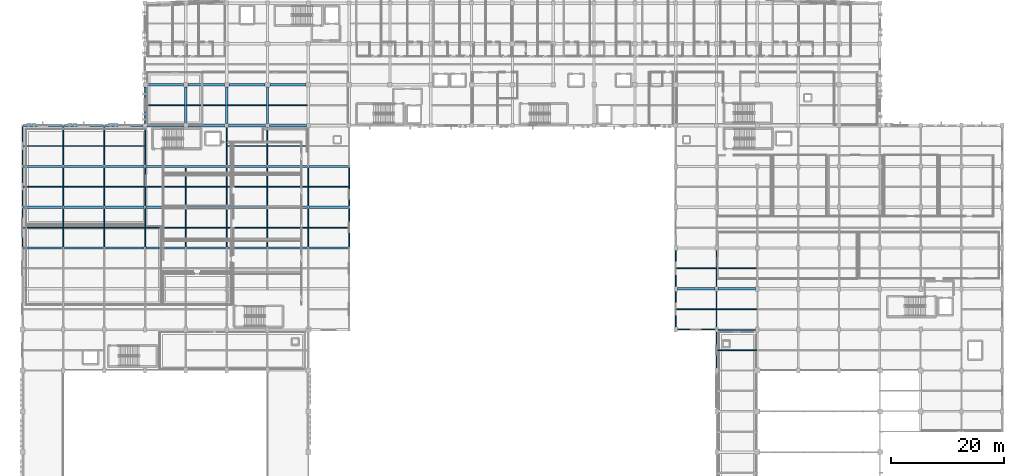
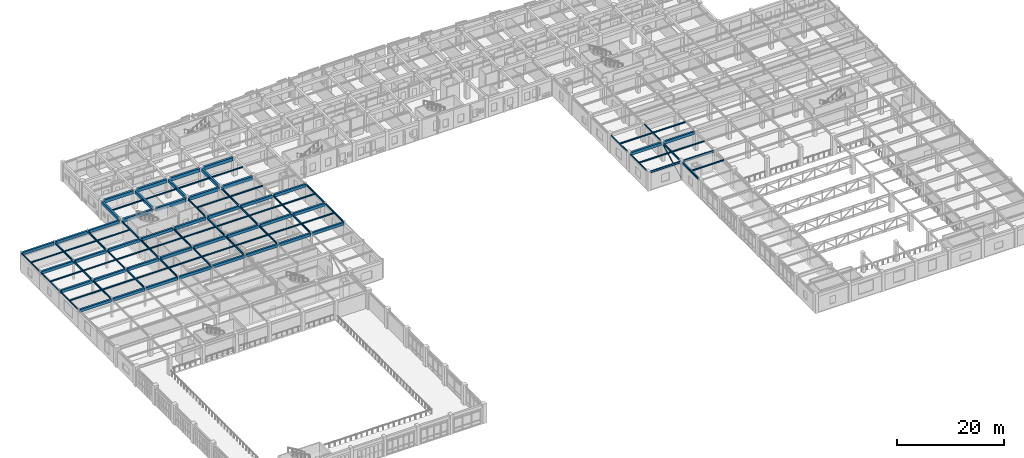
# One storey, part 23 of 106: 102 beams, 1 member.
"""IFC4 building model written with IfcOpenShell, lengths in metres."""

from ifc_helpers import new_model, si_unit, direction, frame, origin, origin_2d, place, context, subcontext, project, spatial, rectangle, hollow_rectangle, i_section, extrude, material, material_profile, profile_set, type_object, element, save


model = new_model("IFC4")

# Units and contexts
model_context = context("Model", 3, precision=1e-05, world=origin(), true_north=direction((0.0, 1.0)))
body_context = subcontext(model_context, "Body", "Model", "MODEL_VIEW")
ifc_project = project(units=[si_unit("LENGTHUNIT", "METRE"), si_unit("AREAUNIT", "SQUARE_METRE"), si_unit("VOLUMEUNIT", "CUBIC_METRE"), si_unit("PLANEANGLEUNIT", "RADIAN"), si_unit("MASSUNIT", "GRAM", prefix="KILO")], contexts=[model_context])

# Site, building, storey
site_placement = place(None, origin())
site = spatial("IfcSite", under=ifc_project, at=site_placement, CompositionType="ELEMENT")
building_placement = place(site_placement, origin())
building = spatial("IfcBuilding", under=site, at=building_placement, Name="Carrowvane Square Congress Hotel", CompositionType="ELEMENT")
storey_placement = place(building_placement, frame((0.0, 0.0, 10.5)))
storey = spatial("IfcBuildingStorey", under=building, at=storey_placement, Name="L02", CompositionType="ELEMENT", Elevation=10.5)

# Beams
ifc_material_1 = material(Name="Concrete C35/45", Category="concrete")
ifc_material_profile_1 = material_profile(ifc_material_1, rectangle(XDim=0.39990234375, YDim=0.64990234375, at=origin_2d()), Name="RC 400x650")
ifc_profile_set_1 = profile_set([ifc_material_profile_1], Name="Concrete C35/45")
beam_type_1 = type_object("IfcBeamType", Name="BM-RC-400x650", PredefinedType="BEAM", material=ifc_profile_set_1)
for number, where, z_axis, x_axis, name in (
    (1, (127.10009765625, 63.0, 3.89501953125), (1.0, 0.0, 0.0), (0.0, 1.0, 0.0), "L03 girder J/17-18"),
    (2, (134.300048828125, 63.0, 3.89501953125), (1.0, 0.0, 0.0), (0.0, 1.0, 0.0), "L03 girder J/18-19"),
):
    element("IfcBeam", number, at=place(storey_placement, frame(where, z_axis=z_axis, x_axis=x_axis)), inside=storey, type_object=beam_type_1, Name=name, PredefinedType="BEAM", context=body_context, shape_type="SweptSolid", body=[
        extrude(rectangle(XDim=0.39990234375, YDim=0.64990234375, at=origin_2d()), origin(), (0.0, 0.0, 1.0), 6.599853515625),
    ])
for number, where, z_axis, x_axis, name in (
    (3, (11.754638671875, 70.199951171875, 3.89501953125), (1.0, 0.0, 0.0), (0.0, 1.0, 0.0), "L03 girder K/1-2"),
    (4, (18.95458984375, 70.199951171875, 3.89501953125), (1.0, 0.0, 0.0), (0.0, 1.0, 0.0), "L03 girder K/2-3"),
    (5, (26.154541015625, 70.199951171875, 3.89501953125), (1.0, 0.0, 0.0), (0.0, 1.0, 0.0), "L03 girder K/3-4"),
    (6, (33.3544921875, 70.199951171875, 3.89501953125), (1.0, 0.0, 0.0), (0.0, 1.0, 0.0), "L03 girder K/4-5"),
):
    element("IfcBeam", number, at=place(storey_placement, frame(where, z_axis=z_axis, x_axis=x_axis)), inside=storey, type_object=beam_type_1, Name=name, PredefinedType="BEAM", context=body_context, shape_type="SweptSolid", body=[
        extrude(rectangle(XDim=0.39990234375, YDim=0.64990234375, at=origin_2d()), origin(), (0.0, 0.0, 1.0), 6.890869140625),
    ])
beam_1_placement = place(storey_placement, frame((40.5546875, 70.199951171875, 3.89501953125), z_axis=(1.0, 0.0, 0.0), x_axis=(0.0, 1.0, 0.0)))
element("IfcBeam", 7, at=beam_1_placement, inside=storey, type_object=beam_type_1, Name="L03 girder K/5-6", PredefinedType="BEAM", context=body_context, shape_type="SweptSolid", body=[
    extrude(rectangle(XDim=0.39990234375, YDim=0.64990234375, at=origin_2d()), origin(), (0.0, 0.0, 1.0), 6.890625),
])
for number, where, z_axis, x_axis, name in (
    (8, (47.754638671875, 70.199951171875, 3.89501953125), (1.0, 0.0, 0.0), (0.0, 1.0, 0.0), "L03 girder K/6-7"),
    (9, (54.95458984375, 70.199951171875, 3.89501953125), (1.0, 0.0, 0.0), (0.0, 1.0, 0.0), "L03 girder K/7-8"),
    (10, (62.154541015625, 70.199951171875, 3.89501953125), (1.0, 0.0, 0.0), (0.0, 1.0, 0.0), "L03 girder K/8-9"),
    (11, (11.754638671875, 77.39990234375, 3.89501953125), (1.0, 0.0, 0.0), (0.0, 1.0, 0.0), "L03 girder L/1-2"),
    (12, (18.95458984375, 77.39990234375, 3.89501953125), (1.0, 0.0, 0.0), (0.0, 1.0, 0.0), "L03 girder L/2-3"),
    (13, (26.154541015625, 77.39990234375, 3.89501953125), (1.0, 0.0, 0.0), (0.0, 1.0, 0.0), "L03 girder L/3-4"),
    (14, (33.3544921875, 77.39990234375, 3.89501953125), (1.0, 0.0, 0.0), (0.0, 1.0, 0.0), "L03 girder L/4-5"),
):
    element("IfcBeam", number, at=place(storey_placement, frame(where, z_axis=z_axis, x_axis=x_axis)), inside=storey, type_object=beam_type_1, Name=name, PredefinedType="BEAM", context=body_context, shape_type="SweptSolid", body=[
        extrude(rectangle(XDim=0.39990234375, YDim=0.64990234375, at=origin_2d()), origin(), (0.0, 0.0, 1.0), 6.890869140625),
    ])
beam_2_placement = place(storey_placement, frame((40.5546875, 77.39990234375, 3.89501953125), z_axis=(1.0, 0.0, 0.0), x_axis=(0.0, 1.0, 0.0)))
element("IfcBeam", 15, at=beam_2_placement, inside=storey, type_object=beam_type_1, Name="L03 girder L/5-6", PredefinedType="BEAM", context=body_context, shape_type="SweptSolid", body=[
    extrude(rectangle(XDim=0.39990234375, YDim=0.64990234375, at=origin_2d()), origin(), (0.0, 0.0, 1.0), 6.890625),
])
for number, where, z_axis, x_axis, name in (
    (16, (47.754638671875, 77.39990234375, 3.89501953125), (1.0, 0.0, 0.0), (0.0, 1.0, 0.0), "L03 girder L/6-7"),
    (17, (54.95458984375, 77.39990234375, 3.89501953125), (1.0, 0.0, 0.0), (0.0, 1.0, 0.0), "L03 girder L/7-8"),
    (18, (62.154541015625, 77.39990234375, 3.89501953125), (1.0, 0.0, 0.0), (0.0, 1.0, 0.0), "L03 girder L/8-9"),
    (19, (11.754638671875, 84.60009765625, 3.89501953125), (1.0, 0.0, 0.0), (0.0, 1.0, 0.0), "L03 girder M/1-2"),
    (20, (18.95458984375, 84.60009765625, 3.89501953125), (1.0, 0.0, 0.0), (0.0, 1.0, 0.0), "L03 girder M/2-3"),
    (21, (26.154541015625, 84.60009765625, 3.89501953125), (1.0, 0.0, 0.0), (0.0, 1.0, 0.0), "L03 girder M/3-4"),
    (22, (33.3544921875, 84.60009765625, 3.89501953125), (1.0, 0.0, 0.0), (0.0, 1.0, 0.0), "L03 girder M/4-5"),
):
    element("IfcBeam", number, at=place(storey_placement, frame(where, z_axis=z_axis, x_axis=x_axis)), inside=storey, type_object=beam_type_1, Name=name, PredefinedType="BEAM", context=body_context, shape_type="SweptSolid", body=[
        extrude(rectangle(XDim=0.39990234375, YDim=0.64990234375, at=origin_2d()), origin(), (0.0, 0.0, 1.0), 6.890869140625),
    ])
beam_3_placement = place(storey_placement, frame((40.5546875, 84.60009765625, 3.89501953125), z_axis=(1.0, 0.0, 0.0), x_axis=(0.0, 1.0, 0.0)))
element("IfcBeam", 23, at=beam_3_placement, inside=storey, type_object=beam_type_1, Name="L03 girder M/5-6", PredefinedType="BEAM", context=body_context, shape_type="SweptSolid", body=[
    extrude(rectangle(XDim=0.39990234375, YDim=0.64990234375, at=origin_2d()), origin(), (0.0, 0.0, 1.0), 6.890625),
])
for number, where, z_axis, x_axis, name in (
    (24, (47.754638671875, 84.60009765625, 3.89501953125), (1.0, 0.0, 0.0), (0.0, 1.0, 0.0), "L03 girder M/6-7"),
    (25, (54.95458984375, 84.60009765625, 3.89501953125), (1.0, 0.0, 0.0), (0.0, 1.0, 0.0), "L03 girder M/7-8"),
    (26, (62.154541015625, 84.60009765625, 3.89501953125), (1.0, 0.0, 0.0), (0.0, 1.0, 0.0), "L03 girder M/8-9"),
    (27, (11.754638671875, 91.800048828125, 3.89501953125), (1.0, 0.0, 0.0), (0.0, 1.0, 0.0), "L03 girder N/1-2"),
    (28, (18.95458984375, 91.800048828125, 3.89501953125), (1.0, 0.0, 0.0), (0.0, 1.0, 0.0), "L03 girder N/2-3"),
):
    element("IfcBeam", number, at=place(storey_placement, frame(where, z_axis=z_axis, x_axis=x_axis)), inside=storey, type_object=beam_type_1, Name=name, PredefinedType="BEAM", context=body_context, shape_type="SweptSolid", body=[
        extrude(rectangle(XDim=0.39990234375, YDim=0.64990234375, at=origin_2d()), origin(), (0.0, 0.0, 1.0), 6.890869140625),
    ])
beam_4_placement = place(storey_placement, frame((26.154541015625, 91.800048828125, 3.89501953125), z_axis=(1.0, 0.0, 0.0), x_axis=(0.0, 1.0, 0.0)))
element("IfcBeam", 29, at=beam_4_placement, inside=storey, type_object=beam_type_1, Name="L03 girder N/3-4", PredefinedType="BEAM", context=body_context, shape_type="SweptSolid", body=[
    extrude(rectangle(XDim=0.39990234375, YDim=0.64990234375, at=origin_2d()), origin(), (0.0, 0.0, 1.0), 6.695556640625),
])
for number, where, z_axis, x_axis, name in (
    (30, (33.199951171875, 92.14990234375, 3.89501953125), (0.0, 1.0, 0.0), (-1.0, 0.0, 0.0), "L03 girder 4/N-P"),
    (31, (40.39990234375, 92.14990234375, 3.89501953125), (0.0, 1.0, 0.0), (-1.0, 0.0, 0.0), "L03 girder 5/N-P"),
    (32, (47.60009765625, 92.14990234375, 3.89501953125), (0.0, 1.0, 0.0), (-1.0, 0.0, 0.0), "L03 girder 6/N-P"),
    (33, (54.800048828125, 92.14990234375, 3.89501953125), (0.0, 1.0, 0.0), (-1.0, 0.0, 0.0), "L03 girder 7/N-P"),
):
    element("IfcBeam", number, at=place(storey_placement, frame(where, z_axis=z_axis, x_axis=x_axis)), inside=storey, type_object=beam_type_1, Name=name, PredefinedType="BEAM", context=body_context, shape_type="SweptSolid", body=[
        extrude(rectangle(XDim=0.39990234375, YDim=0.64990234375, at=origin_2d()), origin(), (0.0, 0.0, 1.0), 6.4501953125),
    ])
ifc_material_2 = material(Name="Concrete C35/45", Category="concrete")
ifc_material_profile_2 = material_profile(ifc_material_2, rectangle(XDim=0.449951171875, YDim=0.75, at=origin_2d()), Name="RC 450x750")
ifc_profile_set_2 = profile_set([ifc_material_profile_2], Name="Concrete C35/45")
beam_type_2 = type_object("IfcBeamType", Name="BM-RC-450x750", PredefinedType="USERDEFINED", material=ifc_profile_set_2)
for number, where, z_axis, x_axis, name in (
    (34, (33.550048828125, 91.800048828125, 3.844970703125), (1.0, 0.0, 0.0), (0.0, 1.0, 0.0), "L03 girder N/4-5"),
    (35, (40.75, 91.800048828125, 3.844970703125), (1.0, 0.0, 0.0), (0.0, 1.0, 0.0), "L03 girder N/5-6"),
    (36, (47.949951171875, 91.800048828125, 3.844970703125), (1.0, 0.0, 0.0), (0.0, 1.0, 0.0), "L03 girder N/6-7"),
    (37, (55.14990234375, 91.800048828125, 3.844970703125), (1.0, 0.0, 0.0), (0.0, 1.0, 0.0), "L03 girder N/7-8"),
):
    element("IfcBeam", number, at=place(storey_placement, frame(where, z_axis=z_axis, x_axis=x_axis)), inside=storey, type_object=beam_type_2, Name=name, ObjectType="GIRDER", PredefinedType="USERDEFINED", context=body_context, shape_type="SweptSolid", body=[
        extrude(rectangle(XDim=0.449951171875, YDim=0.75, at=origin_2d()), origin(), (0.0, 0.0, 1.0), 6.5),
    ])
for number, where, z_axis, x_axis, name in (
    (38, (33.60009765625, 99.0, 3.844970703125), (1.0, 0.0, 0.0), (0.0, 1.0, 0.0), "L03 girder P/4-5"),
    (39, (40.800048828125, 99.0, 3.844970703125), (1.0, 0.0, 0.0), (0.0, 1.0, 0.0), "L03 girder P/5-6"),
    (40, (48.0, 99.0, 3.844970703125), (1.0, 0.0, 0.0), (0.0, 1.0, 0.0), "L03 girder P/6-7"),
):
    element("IfcBeam", number, at=place(storey_placement, frame(where, z_axis=z_axis, x_axis=x_axis)), inside=storey, type_object=beam_type_2, Name=name, ObjectType="GIRDER", PredefinedType="USERDEFINED", context=body_context, shape_type="SweptSolid", body=[
        extrude(rectangle(XDim=0.449951171875, YDim=0.75, at=origin_2d()), origin(), (0.0, 0.0, 1.0), 6.39990234375),
    ])
beam_5_placement = place(storey_placement, frame((55.199951171875, 99.0, 3.844970703125), z_axis=(1.0, 0.0, 0.0), x_axis=(0.0, 1.0, 0.0)))
element("IfcBeam", 41, at=beam_5_placement, inside=storey, type_object=beam_type_2, Name="L03 girder P/7-8", ObjectType="GIRDER", PredefinedType="USERDEFINED", context=body_context, shape_type="SweptSolid", body=[
    extrude(rectangle(XDim=0.449951171875, YDim=0.75, at=origin_2d()), origin(), (0.0, 0.0, 1.0), 6.400146484375),
])
ifc_material_3 = material(Name="Steel S355", Category="steel")
ifc_material_profile_3 = material_profile(ifc_material_3, hollow_rectangle(XDim=0.14990234375, YDim=0.25, WallThickness=0.012451171875, at=origin_2d()), Name="RHS 250x150x12.5")
ifc_profile_set_3 = profile_set([ifc_material_profile_3], Name="Steel S355")
beam_type_3 = type_object("IfcBeamType", Name="BM-ST-RHS250", PredefinedType="SPANDREL", material=ifc_profile_set_3)
for number, where, z_axis, x_axis, name in (
    (42, (11.60009765625, 70.3603515625, 4.094970703125), (0.0, 1.0, 0.0), (-1.0, 0.0, 0.0), "L03 girder 1/K-L"),
    (43, (11.60009765625, 77.560302734375, 4.094970703125), (0.0, 1.0, 0.0), (-1.0, 0.0, 0.0), "L03 girder 1/L-M"),
    (44, (11.60009765625, 84.76025390625, 4.094970703125), (0.0, 1.0, 0.0), (-1.0, 0.0, 0.0), "L03 girder 1/M-N"),
):
    element("IfcBeam", number, at=place(storey_placement, frame(where, z_axis=z_axis, x_axis=x_axis)), inside=storey, type_object=beam_type_3, Name=name, PredefinedType="SPANDREL", context=body_context, shape_type="SweptSolid", body=[
        extrude(hollow_rectangle(XDim=0.14990234375, YDim=0.25, WallThickness=0.012451171875, at=origin_2d()), origin(), (0.0, 0.0, 1.0), 6.87939453125),
    ])
for number, where, z_axis, x_axis, name in (
    (45, (126.800048828125, 56.25, 4.094970703125), (0.0, 1.0, 0.0), (-1.0, 0.0, 0.0), "L03 girder 17/H-J"),
    (46, (126.800048828125, 63.449951171875, 4.094970703125), (0.0, 1.0, 0.0), (-1.0, 0.0, 0.0), "L03 girder 17/J-K"),
    (47, (134.0, 63.449951171875, 4.094970703125), (0.0, 1.0, 0.0), (-1.0, 0.0, 0.0), "L03 girder 18/J-K"),
):
    element("IfcBeam", number, at=place(storey_placement, frame(where, z_axis=z_axis, x_axis=x_axis)), inside=storey, type_object=beam_type_3, Name=name, PredefinedType="SPANDREL", context=body_context, shape_type="SweptSolid", body=[
        extrude(hollow_rectangle(XDim=0.14990234375, YDim=0.25, WallThickness=0.012451171875, at=origin_2d()), origin(), (0.0, 0.0, 1.0), 6.300048828125),
    ])
ifc_material_4 = material(Name="Steel S355", Category="steel")
ifc_material_profile_4 = material_profile(ifc_material_4, i_section(OverallWidth=0.165771484375, OverallDepth=0.306640625, WebThickness=0.006591796875, FlangeThickness=0.01171875, FilletRadius=0.0087890625, at=origin_2d()), Name="UKB 305x165x46")
ifc_profile_set_4 = profile_set([ifc_material_profile_4], Name="Steel S355")
beam_type_4 = type_object("IfcBeamType", Name="BM-ST-UKB305", PredefinedType="JOIST", material=ifc_profile_set_4)
for number, where, z_axis, x_axis, name in (
    (48, (11.675048828125, 73.800048828125, 4.066650390625), (1.0, 0.0, 0.0), (0.0, 1.0, 0.0), "L03 secondary joist 1-2"),
    (49, (11.675048828125, 81.0, 4.066650390625), (1.0, 0.0, 0.0), (0.0, 1.0, 0.0), "L03 secondary joist 1-2"),
    (50, (11.675048828125, 88.199951171875, 4.066650390625), (1.0, 0.0, 0.0), (0.0, 1.0, 0.0), "L03 secondary joist 1-2"),
):
    element("IfcBeam", number, at=place(storey_placement, frame(where, z_axis=z_axis, x_axis=x_axis)), inside=storey, type_object=beam_type_4, Name=name, PredefinedType="JOIST", context=body_context, shape_type="SweptSolid", body=[
        extrude(i_section(OverallWidth=0.165771484375, OverallDepth=0.306640625, WebThickness=0.006591796875, FlangeThickness=0.01171875, FilletRadius=0.0087890625, at=origin_2d()), origin(), (0.0, 0.0, 1.0), 7.03564453125),
    ])
for number, where, z_axis, x_axis, name in (
    (51, (18.889404296875, 73.800048828125, 4.066650390625), (1.0, 0.0, 0.0), (0.0, 1.0, 0.0), "L03 secondary joist 2-3"),
    (52, (18.889404296875, 81.0, 4.066650390625), (1.0, 0.0, 0.0), (0.0, 1.0, 0.0), "L03 secondary joist 2-3"),
    (53, (18.889404296875, 88.199951171875, 4.066650390625), (1.0, 0.0, 0.0), (0.0, 1.0, 0.0), "L03 secondary joist 2-3"),
    (54, (26.08935546875, 73.800048828125, 4.066650390625), (1.0, 0.0, 0.0), (0.0, 1.0, 0.0), "L03 secondary joist 3-4"),
    (55, (26.08935546875, 81.0, 4.066650390625), (1.0, 0.0, 0.0), (0.0, 1.0, 0.0), "L03 secondary joist 3-4"),
    (56, (26.08935546875, 88.199951171875, 4.066650390625), (1.0, 0.0, 0.0), (0.0, 1.0, 0.0), "L03 secondary joist 3-4"),
    (57, (33.289306640625, 73.800048828125, 4.066650390625), (1.0, 0.0, 0.0), (0.0, 1.0, 0.0), "L03 secondary joist 4-5"),
    (58, (33.289306640625, 81.0, 4.066650390625), (1.0, 0.0, 0.0), (0.0, 1.0, 0.0), "L03 secondary joist 4-5"),
):
    element("IfcBeam", number, at=place(storey_placement, frame(where, z_axis=z_axis, x_axis=x_axis)), inside=storey, type_object=beam_type_4, Name=name, PredefinedType="JOIST", context=body_context, shape_type="SweptSolid", body=[
        extrude(i_section(OverallWidth=0.165771484375, OverallDepth=0.306640625, WebThickness=0.006591796875, FlangeThickness=0.01171875, FilletRadius=0.0087890625, at=origin_2d()), origin(), (0.0, 0.0, 1.0), 7.021240234375),
    ])
beam_6_placement = place(storey_placement, frame((33.39990234375, 95.39990234375, 4.066650390625), z_axis=(1.0, 0.0, 0.0), x_axis=(0.0, 1.0, 0.0)))
element("IfcBeam", 59, at=beam_6_placement, inside=storey, type_object=beam_type_4, Name="L03 secondary joist 4-5", PredefinedType="JOIST", context=body_context, shape_type="SweptSolid", body=[
    extrude(i_section(OverallWidth=0.165771484375, OverallDepth=0.306640625, WebThickness=0.006591796875, FlangeThickness=0.01171875, FilletRadius=0.0087890625, at=origin_2d()), origin(), (0.0, 0.0, 1.0), 6.800048828125),
])
for number, where, z_axis, x_axis, name in (
    (60, (40.489501953125, 73.800048828125, 4.066650390625), (1.0, 0.0, 0.0), (0.0, 1.0, 0.0), "L03 secondary joist 5-6"),
    (61, (40.489501953125, 81.0, 4.066650390625), (1.0, 0.0, 0.0), (0.0, 1.0, 0.0), "L03 secondary joist 5-6"),
):
    element("IfcBeam", number, at=place(storey_placement, frame(where, z_axis=z_axis, x_axis=x_axis)), inside=storey, type_object=beam_type_4, Name=name, PredefinedType="JOIST", context=body_context, shape_type="SweptSolid", body=[
        extrude(i_section(OverallWidth=0.165771484375, OverallDepth=0.306640625, WebThickness=0.006591796875, FlangeThickness=0.01171875, FilletRadius=0.0087890625, at=origin_2d()), origin(), (0.0, 0.0, 1.0), 7.02099609375),
    ])
beam_7_placement = place(storey_placement, frame((40.60009765625, 95.39990234375, 4.066650390625), z_axis=(1.0, 0.0, 0.0), x_axis=(0.0, 1.0, 0.0)))
element("IfcBeam", 62, at=beam_7_placement, inside=storey, type_object=beam_type_4, Name="L03 secondary joist 5-6", PredefinedType="JOIST", context=body_context, shape_type="SweptSolid", body=[
    extrude(i_section(OverallWidth=0.165771484375, OverallDepth=0.306640625, WebThickness=0.006591796875, FlangeThickness=0.01171875, FilletRadius=0.0087890625, at=origin_2d()), origin(), (0.0, 0.0, 1.0), 6.7998046875),
])
for number, where, z_axis, x_axis, name in (
    (63, (47.689453125, 73.800048828125, 4.066650390625), (1.0, 0.0, 0.0), (0.0, 1.0, 0.0), "L03 secondary joist 6-7"),
    (64, (47.689453125, 81.0, 4.066650390625), (1.0, 0.0, 0.0), (0.0, 1.0, 0.0), "L03 secondary joist 6-7"),
    (65, (47.689453125, 88.199951171875, 4.066650390625), (1.0, 0.0, 0.0), (0.0, 1.0, 0.0), "L03 secondary joist 6-7"),
):
    element("IfcBeam", number, at=place(storey_placement, frame(where, z_axis=z_axis, x_axis=x_axis)), inside=storey, type_object=beam_type_4, Name=name, PredefinedType="JOIST", context=body_context, shape_type="SweptSolid", body=[
        extrude(i_section(OverallWidth=0.165771484375, OverallDepth=0.306640625, WebThickness=0.006591796875, FlangeThickness=0.01171875, FilletRadius=0.0087890625, at=origin_2d()), origin(), (0.0, 0.0, 1.0), 7.021240234375),
    ])
beam_8_placement = place(storey_placement, frame((47.800048828125, 95.39990234375, 4.066650390625), z_axis=(1.0, 0.0, 0.0), x_axis=(0.0, 1.0, 0.0)))
element("IfcBeam", 66, at=beam_8_placement, inside=storey, type_object=beam_type_4, Name="L03 secondary joist 6-7", PredefinedType="JOIST", context=body_context, shape_type="SweptSolid", body=[
    extrude(i_section(OverallWidth=0.165771484375, OverallDepth=0.306640625, WebThickness=0.006591796875, FlangeThickness=0.01171875, FilletRadius=0.0087890625, at=origin_2d()), origin(), (0.0, 0.0, 1.0), 6.800048828125),
])
for number, where, z_axis, x_axis, name in (
    (67, (54.889404296875, 73.800048828125, 4.066650390625), (1.0, 0.0, 0.0), (0.0, 1.0, 0.0), "L03 secondary joist 7-8"),
    (68, (54.889404296875, 81.0, 4.066650390625), (1.0, 0.0, 0.0), (0.0, 1.0, 0.0), "L03 secondary joist 7-8"),
    (69, (54.889404296875, 88.199951171875, 4.066650390625), (1.0, 0.0, 0.0), (0.0, 1.0, 0.0), "L03 secondary joist 7-8"),
):
    element("IfcBeam", number, at=place(storey_placement, frame(where, z_axis=z_axis, x_axis=x_axis)), inside=storey, type_object=beam_type_4, Name=name, PredefinedType="JOIST", context=body_context, shape_type="SweptSolid", body=[
        extrude(i_section(OverallWidth=0.165771484375, OverallDepth=0.306640625, WebThickness=0.006591796875, FlangeThickness=0.01171875, FilletRadius=0.0087890625, at=origin_2d()), origin(), (0.0, 0.0, 1.0), 7.021240234375),
    ])
beam_9_placement = place(storey_placement, frame((55.0, 95.39990234375, 4.066650390625), z_axis=(1.0, 0.0, 0.0), x_axis=(0.0, 1.0, 0.0)))
element("IfcBeam", 70, at=beam_9_placement, inside=storey, type_object=beam_type_4, Name="L03 secondary joist 7-8", PredefinedType="JOIST", context=body_context, shape_type="SweptSolid", body=[
    extrude(i_section(OverallWidth=0.165771484375, OverallDepth=0.306640625, WebThickness=0.006591796875, FlangeThickness=0.01171875, FilletRadius=0.0087890625, at=origin_2d()), origin(), (0.0, 0.0, 1.0), 6.800048828125),
])
for number, where, z_axis, x_axis, name in (
    (71, (62.08935546875, 73.800048828125, 4.066650390625), (1.0, 0.0, 0.0), (0.0, 1.0, 0.0), "L03 secondary joist 8-9"),
    (72, (62.08935546875, 81.0, 4.066650390625), (1.0, 0.0, 0.0), (0.0, 1.0, 0.0), "L03 secondary joist 8-9"),
):
    element("IfcBeam", number, at=place(storey_placement, frame(where, z_axis=z_axis, x_axis=x_axis)), inside=storey, type_object=beam_type_4, Name=name, PredefinedType="JOIST", context=body_context, shape_type="SweptSolid", body=[
        extrude(i_section(OverallWidth=0.165771484375, OverallDepth=0.306640625, WebThickness=0.006591796875, FlangeThickness=0.01171875, FilletRadius=0.0087890625, at=origin_2d()), origin(), (0.0, 0.0, 1.0), 7.021240234375),
    ])
beam_10_placement = place(storey_placement, frame((126.875, 59.39990234375, 4.066650390625), z_axis=(1.0, 0.0, 0.0), x_axis=(0.0, 1.0, 0.0)))
element("IfcBeam", 73, at=beam_10_placement, inside=storey, type_object=beam_type_4, Name="L03 secondary joist 17-18", PredefinedType="JOIST", context=body_context, shape_type="SweptSolid", body=[
    extrude(i_section(OverallWidth=0.165771484375, OverallDepth=0.306640625, WebThickness=0.006591796875, FlangeThickness=0.01171875, FilletRadius=0.0087890625, at=origin_2d()), origin(), (0.0, 0.0, 1.0), 7.029296875),
])
beam_11_placement = place(storey_placement, frame((126.875, 66.60009765625, 4.066650390625), z_axis=(1.0, 0.0, 0.0), x_axis=(0.0, 1.0, 0.0)))
element("IfcBeam", 74, at=beam_11_placement, inside=storey, type_object=beam_type_4, Name="L03 secondary joist 17-18", PredefinedType="JOIST", context=body_context, shape_type="SweptSolid", body=[
    extrude(i_section(OverallWidth=0.165771484375, OverallDepth=0.306640625, WebThickness=0.006591796875, FlangeThickness=0.01171875, FilletRadius=0.0087890625, at=origin_2d()), origin(), (0.0, 0.0, 1.0), 7.050048828125),
])
for number, where, z_axis, x_axis, name in (
    (75, (134.095703125, 52.199951171875, 4.066650390625), (1.0, 0.0, 0.0), (0.0, 1.0, 0.0), "L03 secondary joist 18-19"),
    (76, (134.095703125, 59.39990234375, 4.066650390625), (1.0, 0.0, 0.0), (0.0, 1.0, 0.0), "L03 secondary joist 18-19"),
):
    element("IfcBeam", number, at=place(storey_placement, frame(where, z_axis=z_axis, x_axis=x_axis)), inside=storey, type_object=beam_type_4, Name=name, PredefinedType="JOIST", context=body_context, shape_type="SweptSolid", body=[
        extrude(i_section(OverallWidth=0.165771484375, OverallDepth=0.306640625, WebThickness=0.006591796875, FlangeThickness=0.01171875, FilletRadius=0.0087890625, at=origin_2d()), origin(), (0.0, 0.0, 1.0), 6.999267578125),
    ])
beam_12_placement = place(storey_placement, frame((134.074951171875, 66.60009765625, 4.066650390625), z_axis=(1.0, 0.0, 0.0), x_axis=(0.0, 1.0, 0.0)))
element("IfcBeam", 77, at=beam_12_placement, inside=storey, type_object=beam_type_4, Name="L03 secondary joist 18-19", PredefinedType="JOIST", context=body_context, shape_type="SweptSolid", body=[
    extrude(i_section(OverallWidth=0.165771484375, OverallDepth=0.306640625, WebThickness=0.006591796875, FlangeThickness=0.01171875, FilletRadius=0.0087890625, at=origin_2d()), origin(), (0.0, 0.0, 1.0), 7.03564453125),
])
ifc_material_5 = material(Name="Steel S355", Category="steel")
ifc_material_profile_5 = material_profile(ifc_material_5, i_section(OverallWidth=0.1787109375, OverallDepth=0.409423828125, WebThickness=0.0087890625, FlangeThickness=0.014404296875, FilletRadius=0.01025390625, at=origin_2d()), Name="UKB 406x178x67")
ifc_profile_set_5 = profile_set([ifc_material_profile_5], Name="Steel S355")
beam_type_5 = type_object("IfcBeamType", Name="BM-ST-UKB406", PredefinedType="BEAM", material=ifc_profile_set_5)
for number, where, z_axis, x_axis, name in (
    (78, (18.800048828125, 70.3603515625, 4.015380859375), (0.0, 1.0, 0.0), (-1.0, 0.0, 0.0), "L03 girder 2/K-L"),
    (79, (18.800048828125, 77.560302734375, 4.015380859375), (0.0, 1.0, 0.0), (-1.0, 0.0, 0.0), "L03 girder 2/L-M"),
    (80, (18.800048828125, 84.76025390625, 4.015380859375), (0.0, 1.0, 0.0), (-1.0, 0.0, 0.0), "L03 girder 2/M-N"),
    (81, (26.0, 70.3603515625, 4.015380859375), (0.0, 1.0, 0.0), (-1.0, 0.0, 0.0), "L03 girder 3/K-L"),
    (82, (26.0, 77.560302734375, 4.015380859375), (0.0, 1.0, 0.0), (-1.0, 0.0, 0.0), "L03 girder 3/L-M"),
    (83, (26.0, 84.76025390625, 4.015380859375), (0.0, 1.0, 0.0), (-1.0, 0.0, 0.0), "L03 girder 3/M-N"),
    (84, (33.199951171875, 70.3603515625, 4.015380859375), (0.0, 1.0, 0.0), (-1.0, 0.0, 0.0), "L03 girder 4/K-L"),
    (85, (33.199951171875, 77.560302734375, 4.015380859375), (0.0, 1.0, 0.0), (-1.0, 0.0, 0.0), "L03 girder 4/L-M"),
):
    element("IfcBeam", number, at=place(storey_placement, frame(where, z_axis=z_axis, x_axis=x_axis)), inside=storey, type_object=beam_type_5, Name=name, PredefinedType="BEAM", context=body_context, shape_type="SweptSolid", body=[
        extrude(i_section(OverallWidth=0.1787109375, OverallDepth=0.409423828125, WebThickness=0.0087890625, FlangeThickness=0.014404296875, FilletRadius=0.01025390625, at=origin_2d()), origin(), (0.0, 0.0, 1.0), 6.87939453125),
    ])
beam_13_placement = place(storey_placement, frame((33.199951171875, 84.76025390625, 4.015380859375), z_axis=(0.0, 1.0, 0.0), x_axis=(-1.0, 0.0, 0.0)))
element("IfcBeam", 86, at=beam_13_placement, inside=storey, type_object=beam_type_5, Name="L03 girder 4/M-N", PredefinedType="BEAM", context=body_context, shape_type="SweptSolid", body=[
    extrude(i_section(OverallWidth=0.1787109375, OverallDepth=0.409423828125, WebThickness=0.0087890625, FlangeThickness=0.014404296875, FilletRadius=0.01025390625, at=origin_2d()), origin(), (0.0, 0.0, 1.0), 6.689697265625),
])
for number, where, z_axis, x_axis, name in (
    (87, (40.39990234375, 70.3603515625, 4.015380859375), (0.0, 1.0, 0.0), (-1.0, 0.0, 0.0), "L03 girder 5/K-L"),
    (88, (40.39990234375, 77.560302734375, 4.015380859375), (0.0, 1.0, 0.0), (-1.0, 0.0, 0.0), "L03 girder 5/L-M"),
    (89, (47.60009765625, 70.3603515625, 4.015380859375), (0.0, 1.0, 0.0), (-1.0, 0.0, 0.0), "L03 girder 6/K-L"),
    (90, (47.60009765625, 77.560302734375, 4.015380859375), (0.0, 1.0, 0.0), (-1.0, 0.0, 0.0), "L03 girder 6/L-M"),
):
    element("IfcBeam", number, at=place(storey_placement, frame(where, z_axis=z_axis, x_axis=x_axis)), inside=storey, type_object=beam_type_5, Name=name, PredefinedType="BEAM", context=body_context, shape_type="SweptSolid", body=[
        extrude(i_section(OverallWidth=0.1787109375, OverallDepth=0.409423828125, WebThickness=0.0087890625, FlangeThickness=0.014404296875, FilletRadius=0.01025390625, at=origin_2d()), origin(), (0.0, 0.0, 1.0), 6.87939453125),
    ])
beam_14_placement = place(storey_placement, frame((47.60009765625, 84.76025390625, 4.015380859375), z_axis=(0.0, 1.0, 0.0), x_axis=(-1.0, 0.0, 0.0)))
element("IfcBeam", 91, at=beam_14_placement, inside=storey, type_object=beam_type_5, Name="L03 girder 6/M-N", PredefinedType="BEAM", context=body_context, shape_type="SweptSolid", body=[
    extrude(i_section(OverallWidth=0.1787109375, OverallDepth=0.409423828125, WebThickness=0.0087890625, FlangeThickness=0.014404296875, FilletRadius=0.01025390625, at=origin_2d()), origin(), (0.0, 0.0, 1.0), 6.689697265625),
])
for number, where, z_axis, x_axis, name in (
    (92, (54.800048828125, 70.3603515625, 4.015380859375), (0.0, 1.0, 0.0), (-1.0, 0.0, 0.0), "L03 girder 7/K-L"),
    (93, (54.800048828125, 77.560302734375, 4.015380859375), (0.0, 1.0, 0.0), (-1.0, 0.0, 0.0), "L03 girder 7/L-M"),
):
    element("IfcBeam", number, at=place(storey_placement, frame(where, z_axis=z_axis, x_axis=x_axis)), inside=storey, type_object=beam_type_5, Name=name, PredefinedType="BEAM", context=body_context, shape_type="SweptSolid", body=[
        extrude(i_section(OverallWidth=0.1787109375, OverallDepth=0.409423828125, WebThickness=0.0087890625, FlangeThickness=0.014404296875, FilletRadius=0.01025390625, at=origin_2d()), origin(), (0.0, 0.0, 1.0), 6.87939453125),
    ])
beam_15_placement = place(storey_placement, frame((54.800048828125, 84.76025390625, 4.015380859375), z_axis=(0.0, 1.0, 0.0), x_axis=(-1.0, 0.0, 0.0)))
element("IfcBeam", 94, at=beam_15_placement, inside=storey, type_object=beam_type_5, Name="L03 girder 7/M-N", PredefinedType="BEAM", context=body_context, shape_type="SweptSolid", body=[
    extrude(i_section(OverallWidth=0.1787109375, OverallDepth=0.409423828125, WebThickness=0.0087890625, FlangeThickness=0.014404296875, FilletRadius=0.01025390625, at=origin_2d()), origin(), (0.0, 0.0, 1.0), 6.689697265625),
])
for number, where, z_axis, x_axis, name in (
    (95, (62.0, 70.3603515625, 4.015380859375), (0.0, 1.0, 0.0), (-1.0, 0.0, 0.0), "L03 girder 8/K-L"),
    (96, (62.0, 77.560302734375, 4.015380859375), (0.0, 1.0, 0.0), (-1.0, 0.0, 0.0), "L03 girder 8/L-M"),
    (97, (69.199951171875, 70.3603515625, 4.015380859375), (0.0, 1.0, 0.0), (-1.0, 0.0, 0.0), "L03 girder 9/K-L"),
    (98, (69.199951171875, 77.560302734375, 4.015380859375), (0.0, 1.0, 0.0), (-1.0, 0.0, 0.0), "L03 girder 9/L-M"),
):
    element("IfcBeam", number, at=place(storey_placement, frame(where, z_axis=z_axis, x_axis=x_axis)), inside=storey, type_object=beam_type_5, Name=name, PredefinedType="BEAM", context=body_context, shape_type="SweptSolid", body=[
        extrude(i_section(OverallWidth=0.1787109375, OverallDepth=0.409423828125, WebThickness=0.0087890625, FlangeThickness=0.014404296875, FilletRadius=0.01025390625, at=origin_2d()), origin(), (0.0, 0.0, 1.0), 6.87939453125),
    ])
ifc_material_6 = material(Name="Steel S355", Category="steel")
ifc_material_profile_6 = material_profile(ifc_material_6, i_section(OverallWidth=0.19140625, OverallDepth=0.4599609375, WebThickness=0.010009765625, FlangeThickness=0.01611328125, FilletRadius=0.01025390625, at=origin_2d()), Name="UKB 457x191x82")
ifc_profile_set_6 = profile_set([ifc_material_profile_6], Name="Steel S355")
beam_type_6 = type_object("IfcBeamType", Name="BM-ST-UKB457", PredefinedType="SPANDREL", material=ifc_profile_set_6)
beam_16_placement = place(storey_placement, frame((127.10009765625, 55.800048828125, 3.989990234375), z_axis=(1.0, 0.0, 0.0), x_axis=(0.0, 1.0, 0.0)))
element("IfcBeam", 99, at=beam_16_placement, inside=storey, type_object=beam_type_6, Name="L03 girder H/17-18", PredefinedType="SPANDREL", context=body_context, shape_type="SweptSolid", body=[
    extrude(i_section(OverallWidth=0.19140625, OverallDepth=0.4599609375, WebThickness=0.010009765625, FlangeThickness=0.01611328125, FilletRadius=0.01025390625, at=origin_2d()), origin(), (0.0, 0.0, 1.0), 6.599853515625),
])
for number, where, z_axis, x_axis, name in (
    (100, (134.0, 49.050048828125, 3.989990234375), (0.0, 1.0, 0.0), (-1.0, 0.0, 0.0), "L03 girder 18/G-H"),
    (101, (134.0, 56.25, 3.989990234375), (0.0, 1.0, 0.0), (-1.0, 0.0, 0.0), "L03 girder 18/H-J"),
):
    element("IfcBeam", number, at=place(storey_placement, frame(where, z_axis=z_axis, x_axis=x_axis)), inside=storey, type_object=beam_type_6, Name=name, PredefinedType="SPANDREL", context=body_context, shape_type="SweptSolid", body=[
        extrude(i_section(OverallWidth=0.19140625, OverallDepth=0.4599609375, WebThickness=0.010009765625, FlangeThickness=0.01611328125, FilletRadius=0.01025390625, at=origin_2d()), origin(), (0.0, 0.0, 1.0), 6.300048828125),
    ])
ifc_material_7 = material(Name="Steel S355", Category="steel")
ifc_material_profile_7 = material_profile(ifc_material_7, i_section(OverallWidth=0.2099609375, OverallDepth=0.53662109375, WebThickness=0.0107421875, FlangeThickness=0.017333984375, FilletRadius=0.0126953125, at=origin_2d()), Name="UKB 533x210x101")
ifc_profile_set_7 = profile_set([ifc_material_profile_7], Name="Steel S355")
beam_type_7 = type_object("IfcBeamType", Name="BM-ST-UKB533", PredefinedType="USERDEFINED", material=ifc_profile_set_7)
beam_17_placement = place(storey_placement, frame((134.300048828125, 55.800048828125, 3.95166015625), z_axis=(1.0, 0.0, 0.0), x_axis=(0.0, 1.0, 0.0)))
element("IfcBeam", 102, at=beam_17_placement, inside=storey, type_object=beam_type_7, Name="L03 girder H/18-19", ObjectType="GIRDER", PredefinedType="USERDEFINED", context=body_context, shape_type="SweptSolid", body=[
    extrude(i_section(OverallWidth=0.2099609375, OverallDepth=0.53662109375, WebThickness=0.0107421875, FlangeThickness=0.017333984375, FilletRadius=0.0126953125, at=origin_2d()), origin(), (0.0, 0.0, 1.0), 6.599853515625),
])

# Member
ifc_material_8 = material(Name="Steel S355", Category="steel")
ifc_material_profile_8 = material_profile(ifc_material_8, hollow_rectangle(XDim=0.14990234375, YDim=0.14990234375, WallThickness=0.010009765625, at=origin_2d()), Name="SHS 150x150x10")
ifc_profile_set_8 = profile_set([ifc_material_profile_8], Name="Steel S355")
member_type = type_object("IfcMemberType", Name="MEM-BR-SHS150", PredefinedType="BRACE", material=ifc_profile_set_8)
member_placement = place(storey_placement, frame((134.0, 55.919921875, 0.14990234375), z_axis=(0.0, 0.887167882252, 0.461446799426), x_axis=(-1.0, 0.0, 0.0)))
element("IfcMember", 103, at=member_placement, inside=storey, type_object=member_type, Name="L02 vertical lateral brace 8", PredefinedType="BRACE", context=body_context, shape_type="SweptSolid", body=[
    extrude(hollow_rectangle(XDim=0.14990234375, YDim=0.14990234375, WallThickness=0.010009765625, at=origin_2d()), origin(), (0.0, 0.0, 1.0), 7.84521484375),
])

save(model, "model.ifc")
